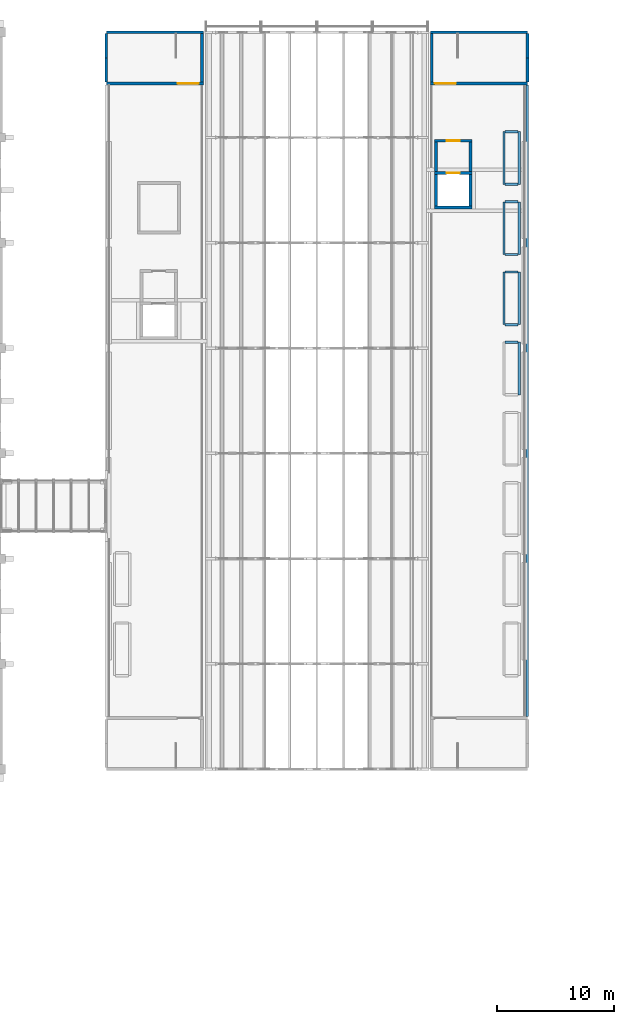
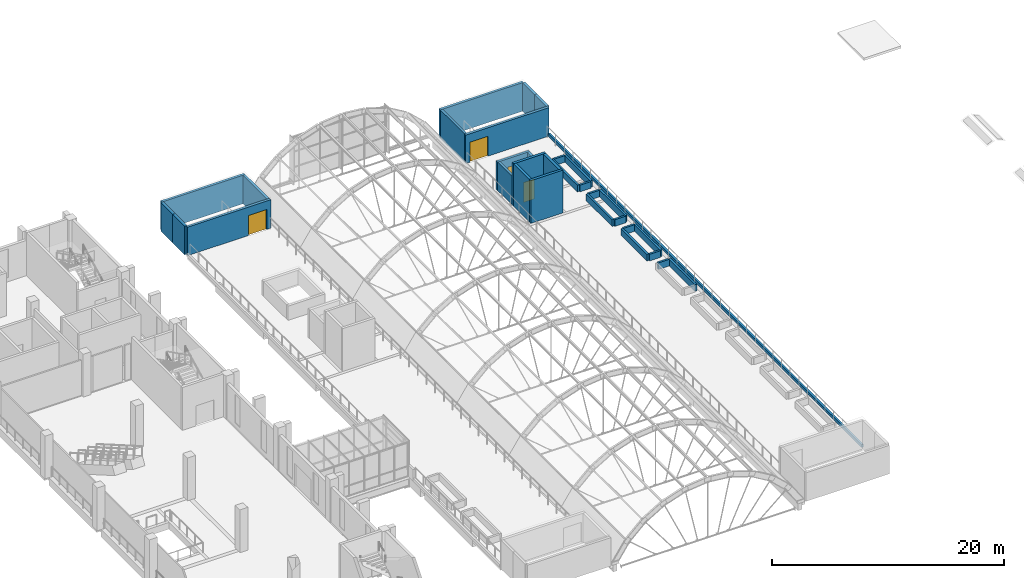
# One storey, part 57 of 79: 32 walls, 4 doors, 4 openings.
"""IFC4 building model written with IfcOpenShell, lengths in metres."""

from ifc_helpers import new_model, si_unit, direction, frame, frame_2d, origin, place, context, subcontext, project, spatial, rectangle, extrude, material, layer, layer_set, type_object, element, fill, save


model = new_model("IFC4")

# Units and contexts
model_context = context("Model", 3, precision=1e-05, world=origin(), true_north=direction((0.0, 1.0)))
body_context = subcontext(model_context, "Body", "Model", "MODEL_VIEW")
ifc_project = project(units=[si_unit("LENGTHUNIT", "METRE"), si_unit("AREAUNIT", "SQUARE_METRE"), si_unit("VOLUMEUNIT", "CUBIC_METRE"), si_unit("PLANEANGLEUNIT", "RADIAN"), si_unit("MASSUNIT", "GRAM", prefix="KILO")], contexts=[model_context])

# Site, building, storey
site_placement = place(None, origin())
site = spatial("IfcSite", under=ifc_project, at=site_placement, CompositionType="ELEMENT")
building_placement = place(site_placement, origin())
building = spatial("IfcBuilding", under=site, at=building_placement, Name="Guidao Yard Department Store", CompositionType="ELEMENT")
storey_placement = place(building_placement, frame((0.0, 0.0, 15.0)))
storey = spatial("IfcBuildingStorey", under=building, at=storey_placement, Name="L03", CompositionType="ELEMENT", Elevation=15.0)

# Walls
ifc_material_1 = material(Name="Concrete C30", Category="concrete")
ifc_layer_1 = layer(ifc_material_1, 0.199951171875)
ifc_layer_set_1 = layer_set([ifc_layer_1], Name="Planter wall 200 C30")
wall_type_1 = type_object("IfcWallType", Name="Planter wall 200 C30", PredefinedType="USERDEFINED", material=ifc_layer_set_1)
wall_1_placement = place(storey_placement, frame((107.300048828125, 77.0, 0.0), z_axis=(0.0, 0.0, 1.0), x_axis=(0.0, 1.0, 0.0)))
element("IfcWall", 1, at=wall_1_placement, inside=storey, type_object=wall_type_1, Name="Planter wall", ObjectType="PLANTER", PredefinedType="USERDEFINED", context=body_context, shape_type="SweptSolid", body=[
    extrude(rectangle(XDim=4.5, YDim=0.199951171875, at=frame_2d((2.25, 0.0))), origin(), (0.0, 0.0, 1.0), 0.699951171875),
])
wall_2_placement = place(storey_placement, frame((106.10009765625, 81.5, 0.0), z_axis=(0.0, 0.0, 1.0), x_axis=(1.0, 0.0, 0.0)))
element("IfcWall", 2, at=wall_2_placement, inside=storey, type_object=wall_type_1, Name="Planter wall", ObjectType="PLANTER", PredefinedType="USERDEFINED", context=body_context, shape_type="SweptSolid", body=[
    extrude(rectangle(XDim=1.099853515625, YDim=0.199951171875, at=frame_2d((0.5498046875, 0.0))), origin(), (0.0, 0.0, 1.0), 0.699951171875),
])
for number, where, z_axis, x_axis, name in (
    (3, (106.0, 83.0, 0.0), (0.0, 0.0, 1.0), (0.0, 1.0, 0.0), "Planter wall"),
    (4, (107.300048828125, 83.0, 0.0), (0.0, 0.0, 1.0), (0.0, 1.0, 0.0), "Planter wall"),
):
    element("IfcWall", number, at=place(storey_placement, frame(where, z_axis=z_axis, x_axis=x_axis)), inside=storey, type_object=wall_type_1, Name=name, ObjectType="PLANTER", PredefinedType="USERDEFINED", context=body_context, shape_type="SweptSolid", body=[
        extrude(rectangle(XDim=4.5, YDim=0.199951171875, at=frame_2d((2.25, 0.0))), origin(), (0.0, 0.0, 1.0), 0.699951171875),
    ])
for number, where, z_axis, x_axis, name in (
    (5, (106.10009765625, 83.0, 0.0), (0.0, 0.0, 1.0), (1.0, 0.0, 0.0), "Planter wall"),
    (6, (106.10009765625, 87.5, 0.0), (0.0, 0.0, 1.0), (1.0, 0.0, 0.0), "Planter wall"),
):
    element("IfcWall", number, at=place(storey_placement, frame(where, z_axis=z_axis, x_axis=x_axis)), inside=storey, type_object=wall_type_1, Name=name, ObjectType="PLANTER", PredefinedType="USERDEFINED", context=body_context, shape_type="SweptSolid", body=[
        extrude(rectangle(XDim=1.099853515625, YDim=0.199951171875, at=frame_2d((0.5498046875, 0.0))), origin(), (0.0, 0.0, 1.0), 0.699951171875),
    ])
for number, where, z_axis, x_axis, name in (
    (7, (106.0, 89.0, 0.0), (0.0, 0.0, 1.0), (0.0, 1.0, 0.0), "Planter wall"),
    (8, (107.300048828125, 89.0, 0.0), (0.0, 0.0, 1.0), (0.0, 1.0, 0.0), "Planter wall"),
):
    element("IfcWall", number, at=place(storey_placement, frame(where, z_axis=z_axis, x_axis=x_axis)), inside=storey, type_object=wall_type_1, Name=name, ObjectType="PLANTER", PredefinedType="USERDEFINED", context=body_context, shape_type="SweptSolid", body=[
        extrude(rectangle(XDim=4.5, YDim=0.199951171875, at=frame_2d((2.25, 0.0))), origin(), (0.0, 0.0, 1.0), 0.699951171875),
    ])
for number, where, z_axis, x_axis, name in (
    (9, (106.10009765625, 89.0, 0.0), (0.0, 0.0, 1.0), (1.0, 0.0, 0.0), "Planter wall"),
    (10, (106.10009765625, 93.5, 0.0), (0.0, 0.0, 1.0), (1.0, 0.0, 0.0), "Planter wall"),
):
    element("IfcWall", number, at=place(storey_placement, frame(where, z_axis=z_axis, x_axis=x_axis)), inside=storey, type_object=wall_type_1, Name=name, ObjectType="PLANTER", PredefinedType="USERDEFINED", context=body_context, shape_type="SweptSolid", body=[
        extrude(rectangle(XDim=1.099853515625, YDim=0.199951171875, at=frame_2d((0.5498046875, 0.0))), origin(), (0.0, 0.0, 1.0), 0.699951171875),
    ])
for number, where, z_axis, x_axis, name in (
    (11, (106.0, 95.0, 0.0), (0.0, 0.0, 1.0), (0.0, 1.0, 0.0), "Planter wall"),
    (12, (107.300048828125, 95.0, 0.0), (0.0, 0.0, 1.0), (0.0, 1.0, 0.0), "Planter wall"),
):
    element("IfcWall", number, at=place(storey_placement, frame(where, z_axis=z_axis, x_axis=x_axis)), inside=storey, type_object=wall_type_1, Name=name, ObjectType="PLANTER", PredefinedType="USERDEFINED", context=body_context, shape_type="SweptSolid", body=[
        extrude(rectangle(XDim=4.5, YDim=0.199951171875, at=frame_2d((2.25, 0.0))), origin(), (0.0, 0.0, 1.0), 0.699951171875),
    ])
for number, where, z_axis, x_axis, name in (
    (13, (106.10009765625, 95.0, 0.0), (0.0, 0.0, 1.0), (1.0, 0.0, 0.0), "Planter wall"),
    (14, (106.10009765625, 99.5, 0.0), (0.0, 0.0, 1.0), (1.0, 0.0, 0.0), "Planter wall"),
):
    element("IfcWall", number, at=place(storey_placement, frame(where, z_axis=z_axis, x_axis=x_axis)), inside=storey, type_object=wall_type_1, Name=name, ObjectType="PLANTER", PredefinedType="USERDEFINED", context=body_context, shape_type="SweptSolid", body=[
        extrude(rectangle(XDim=1.099853515625, YDim=0.199951171875, at=frame_2d((0.5498046875, 0.0))), origin(), (0.0, 0.0, 1.0), 0.699951171875),
    ])
ifc_material_2 = material(Name="Concrete C30", Category="concrete")
ifc_layer_2 = layer(ifc_material_2, 0.199951171875)
ifc_layer_set_2 = layer_set([ifc_layer_2], Name="Roof edge kerb 200 C30")
wall_type_2 = type_object("IfcWallType", Name="Roof edge kerb 200 C30", PredefinedType="PARAPET", material=ifc_layer_set_2)
wall_3_placement = place(storey_placement, frame((108.0, 49.5, 0.0), z_axis=(0.0, 0.0, 1.0), x_axis=(0.0, 1.0, 0.0)))
element("IfcWall", 15, at=wall_3_placement, inside=storey, type_object=wall_type_2, Name="Roof edge kerb", PredefinedType="PARAPET", context=body_context, shape_type="SweptSolid", body=[
    extrude(rectangle(XDim=54.0, YDim=0.199951171875, at=frame_2d((27.0, 0.0))), origin(), (0.0, 0.0, 1.0), 0.300048828125),
])

# Wall, opening, door
ifc_material_3 = material(Name="Concrete C40", Category="concrete")
ifc_layer_3 = layer(ifc_material_3, 0.25)
ifc_layer_set_3 = layer_set([ifc_layer_3], Name="Wall RC 250 C40 stair and shaft")
wall_type_3 = type_object("IfcWallType", Name="Wall RC 250 C40 stair and shaft", PredefinedType="SHEAR", material=ifc_layer_set_3)
wall_4_placement = place(storey_placement, frame((72.0, 103.625, 0.0), z_axis=(0.0, 0.0, 1.0), x_axis=(1.0, 0.0, 0.0)))
wall_4 = element("IfcWall", 16, at=wall_4_placement, inside=storey, type_object=wall_type_3, Name="Stair wall SG2", PredefinedType="SHEAR", context=body_context, shape_type="SweptSolid", body=[
    extrude(rectangle(XDim=8.300048828125, YDim=0.25, at=frame_2d((4.14990234375, 0.0))), origin(), (0.0, 0.0, 1.0), 3.0),
])
opening_1_placement = place(wall_4_placement, frame((7.900146484375, 0.0, 0.0), z_axis=(0.0, 0.0, 1.0), x_axis=(-1.0, 0.0, 0.0)))
opening_1 = element("IfcOpeningElement", 17, at=opening_1_placement, cuts=wall_4, Name="Opening L03-809", PredefinedType="OPENING", context=body_context, shape_type="SweptSolid", body=[
    extrude(rectangle(XDim=1.800048828125, YDim=2.10009765625, at=frame_2d((0.89990234375, 1.050048828125))), frame((0.0, 0.135009765625, 0.0), z_axis=(0.0, -1.0, 0.0), x_axis=(1.0, 0.0, 0.0)), (0.0, 0.0, 1.0), 0.27001953125),
])
ifc_material_4 = material(Name="Steel Q235", Category="steel")
door_type_1 = type_object("IfcDoorType", Name="Door fire-resisting 1800 x 2100 FD60", OperationType="DOUBLE_DOOR_SINGLE_SWING", PredefinedType="DOOR", material=ifc_material_4)
door_1_placement = place(opening_1_placement, origin())
door_1 = element("IfcDoor", 18, at=door_1_placement, inside=storey, type_object=door_type_1, Name="Stair G2 door L03", OperationType="DOUBLE_DOOR_SINGLE_SWING", OverallHeight=2.10009765625, OverallWidth=1.800048828125, PredefinedType="DOOR", context=body_context, shape_type="SweptSolid", body=[
    extrude(rectangle(XDim=1.800048828125, YDim=2.10009765625, at=frame_2d((0.89990234375, 1.050048828125))), frame((0.0, 0.02490234375, 0.0), z_axis=(0.0, -1.0, 0.0), x_axis=(1.0, 0.0, 0.0)), (0.0, 0.0, 1.0), 0.050048828125),
])
fill(opening_1, door_1)

# Walls
wall_5_placement = place(storey_placement, frame((72.0, 108.0, 0.0), z_axis=(0.0, 0.0, 1.0), x_axis=(1.0, 0.0, 0.0)))
element("IfcWall", 19, at=wall_5_placement, inside=storey, type_object=wall_type_3, Name="Stair wall SG2", PredefinedType="SHEAR", context=body_context, shape_type="SweptSolid", body=[
    extrude(rectangle(XDim=8.300048828125, YDim=0.25, at=frame_2d((4.14990234375, 0.0))), origin(), (0.0, 0.0, 1.0), 3.0),
])
wall_6_placement = place(storey_placement, frame((72.0, 103.75, 0.0), z_axis=(0.0, 0.0, 1.0), x_axis=(0.0, 1.0, 0.0)))
element("IfcWall", 20, at=wall_6_placement, inside=storey, type_object=wall_type_3, Name="Stair wall SG2", PredefinedType="SHEAR", context=body_context, shape_type="SweptSolid", body=[
    extrude(rectangle(XDim=2.06201171875, YDim=0.25, at=frame_2d((1.031005859375, 0.0))), origin(), (0.0, 0.0, 1.0), 3.0),
])
wall_7_placement = place(storey_placement, frame((72.0, 105.81201171875, 0.0), z_axis=(0.0, 0.0, 1.0), x_axis=(0.0, 1.0, 0.0)))
element("IfcWall", 21, at=wall_7_placement, inside=storey, type_object=wall_type_3, Name="Stair wall SG2", PredefinedType="SHEAR", context=body_context, shape_type="SweptSolid", body=[
    extrude(rectangle(XDim=2.06298828125, YDim=0.25, at=frame_2d((1.031494140625, 0.0))), origin(), (0.0, 0.0, 1.0), 3.0),
])
wall_8_placement = place(storey_placement, frame((80.175048828125, 103.75, 0.0), z_axis=(0.0, 0.0, 1.0), x_axis=(0.0, 1.0, 0.0)))
element("IfcWall", 22, at=wall_8_placement, inside=storey, type_object=wall_type_3, Name="Stair wall SG2", PredefinedType="SHEAR", context=body_context, shape_type="SweptSolid", body=[
    extrude(rectangle(XDim=4.125, YDim=0.25, at=frame_2d((2.0625, 0.0))), origin(), (0.0, 0.0, 1.0), 3.0),
])

# Wall, opening, door
wall_9_placement = place(storey_placement, frame((99.699951171875, 103.625, 0.0), z_axis=(0.0, 0.0, 1.0), x_axis=(1.0, 0.0, 0.0)))
wall_9 = element("IfcWall", 23, at=wall_9_placement, inside=storey, type_object=wall_type_3, Name="Stair wall SG4", PredefinedType="SHEAR", context=body_context, shape_type="SweptSolid", body=[
    extrude(rectangle(XDim=8.300048828125, YDim=0.25, at=frame_2d((4.14990234375, 0.0))), origin(), (0.0, 0.0, 1.0), 3.0),
])
opening_2_placement = place(wall_9_placement, frame((2.199951171875, 0.0, 0.0), z_axis=(0.0, 0.0, 1.0), x_axis=(-1.0, 0.0, 0.0)))
opening_2 = element("IfcOpeningElement", 24, at=opening_2_placement, cuts=wall_9, Name="Opening L03-811", PredefinedType="OPENING", context=body_context, shape_type="SweptSolid", body=[
    extrude(rectangle(XDim=1.800048828125, YDim=2.10009765625, at=frame_2d((0.89990234375, 1.050048828125))), frame((0.0, 0.135009765625, 0.0), z_axis=(0.0, -1.0, 0.0), x_axis=(1.0, 0.0, 0.0)), (0.0, 0.0, 1.0), 0.27001953125),
])
door_2_placement = place(opening_2_placement, origin())
door_2 = element("IfcDoor", 25, at=door_2_placement, inside=storey, type_object=door_type_1, Name="Stair G4 door L03", OperationType="DOUBLE_DOOR_SINGLE_SWING", OverallHeight=2.10009765625, OverallWidth=1.800048828125, PredefinedType="DOOR", context=body_context, shape_type="SweptSolid", body=[
    extrude(rectangle(XDim=1.800048828125, YDim=2.10009765625, at=frame_2d((0.89990234375, 1.050048828125))), frame((0.0, 0.02490234375, 0.0), z_axis=(0.0, -1.0, 0.0), x_axis=(1.0, 0.0, 0.0)), (0.0, 0.0, 1.0), 0.050048828125),
])
fill(opening_2, door_2)

# Walls
wall_10_placement = place(storey_placement, frame((99.699951171875, 108.0, 0.0), z_axis=(0.0, 0.0, 1.0), x_axis=(1.0, 0.0, 0.0)))
element("IfcWall", 26, at=wall_10_placement, inside=storey, type_object=wall_type_3, Name="Stair wall SG4", PredefinedType="SHEAR", context=body_context, shape_type="SweptSolid", body=[
    extrude(rectangle(XDim=8.300048828125, YDim=0.25, at=frame_2d((4.14990234375, 0.0))), origin(), (0.0, 0.0, 1.0), 3.0),
])
wall_11_placement = place(storey_placement, frame((99.824951171875, 103.75, 0.0), z_axis=(0.0, 0.0, 1.0), x_axis=(0.0, 1.0, 0.0)))
element("IfcWall", 27, at=wall_11_placement, inside=storey, type_object=wall_type_3, Name="Stair wall SG4", PredefinedType="SHEAR", context=body_context, shape_type="SweptSolid", body=[
    extrude(rectangle(XDim=4.125, YDim=0.25, at=frame_2d((2.0625, 0.0))), origin(), (0.0, 0.0, 1.0), 3.0),
])
wall_12_placement = place(storey_placement, frame((108.0, 103.75, 0.0), z_axis=(0.0, 0.0, 1.0), x_axis=(0.0, 1.0, 0.0)))
element("IfcWall", 28, at=wall_12_placement, inside=storey, type_object=wall_type_3, Name="Stair wall SG4", PredefinedType="SHEAR", context=body_context, shape_type="SweptSolid", body=[
    extrude(rectangle(XDim=2.06201171875, YDim=0.25, at=frame_2d((1.031005859375, 0.0))), origin(), (0.0, 0.0, 1.0), 3.0),
])
wall_13_placement = place(storey_placement, frame((108.0, 105.81201171875, 0.0), z_axis=(0.0, 0.0, 1.0), x_axis=(0.0, 1.0, 0.0)))
element("IfcWall", 29, at=wall_13_placement, inside=storey, type_object=wall_type_3, Name="Stair wall SG4", PredefinedType="SHEAR", context=body_context, shape_type="SweptSolid", body=[
    extrude(rectangle(XDim=2.06298828125, YDim=0.25, at=frame_2d((1.031494140625, 0.0))), origin(), (0.0, 0.0, 1.0), 3.0),
])

# Wall, opening, door
wall_14_placement = place(storey_placement, frame((100.050048828125, 95.97509765625, 0.0), z_axis=(0.0, 0.0, 1.0), x_axis=(1.0, 0.0, 0.0)))
wall_14 = element("IfcWall", 30, at=wall_14_placement, inside=storey, type_object=wall_type_3, Name="Lift shaft wall GL2", PredefinedType="SHEAR", context=body_context, shape_type="SweptSolid", body=[
    extrude(rectangle(XDim=3.199951171875, YDim=0.25, at=frame_2d((1.60009765625, 0.0))), origin(), (0.0, 0.0, 1.0), 4.5),
])
opening_3_placement = place(wall_14_placement, frame((1.050048828125, 0.0, 0.0)))
opening_3 = element("IfcOpeningElement", 31, at=opening_3_placement, cuts=wall_14, Name="Opening LD-GL2-L03", PredefinedType="OPENING", context=body_context, shape_type="SweptSolid", body=[
    extrude(rectangle(XDim=1.10009765625, YDim=2.10009765625, at=frame_2d((0.550048828125, 1.050048828125))), frame((0.0, 0.135009765625, 0.0), z_axis=(0.0, -1.0, 0.0), x_axis=(1.0, 0.0, 0.0)), (0.0, 0.0, 1.0), 0.27001953125),
])
ifc_material_5 = material(Name="Stainless steel 06Cr19Ni10", Category="steel")
door_type_2 = type_object("IfcDoorType", Name="Lift landing door fire-resisting sliding 1100 x 2100", OperationType="DOUBLE_DOOR_SLIDING", PredefinedType="DOOR", material=ifc_material_5)
door_3_placement = place(opening_3_placement, origin())
door_3 = element("IfcDoor", 32, at=door_3_placement, inside=storey, type_object=door_type_2, Name="Lift landing door GL2 L03", OperationType="DOUBLE_DOOR_SLIDING", OverallHeight=2.10009765625, OverallWidth=1.10009765625, PredefinedType="DOOR", context=body_context, shape_type="SweptSolid", body=[
    extrude(rectangle(XDim=1.10009765625, YDim=2.10009765625, at=frame_2d((0.550048828125, 1.050048828125))), frame((0.0, 0.02490234375, 0.0), z_axis=(0.0, -1.0, 0.0), x_axis=(1.0, 0.0, 0.0)), (0.0, 0.0, 1.0), 0.050048828125),
])
fill(opening_3, door_3)

# Walls
wall_15_placement = place(storey_placement, frame((100.050048828125, 93.02490234375, 0.0), z_axis=(0.0, 0.0, 1.0), x_axis=(1.0, 0.0, 0.0)))
element("IfcWall", 33, at=wall_15_placement, inside=storey, type_object=wall_type_3, Name="Lift shaft wall GL2", PredefinedType="SHEAR", context=body_context, shape_type="SweptSolid", body=[
    extrude(rectangle(XDim=3.199951171875, YDim=0.25, at=frame_2d((1.60009765625, 0.0))), origin(), (0.0, 0.0, 1.0), 4.5),
])
for number, where, z_axis, x_axis, name in (
    (34, (100.175048828125, 93.14990234375, 0.0), (0.0, 0.0, 1.0), (0.0, 1.0, 0.0), "Lift shaft wall GL2"),
    (35, (103.125, 93.14990234375, 0.0), (0.0, 0.0, 1.0), (0.0, 1.0, 0.0), "Lift shaft wall GL2"),
):
    element("IfcWall", number, at=place(storey_placement, frame(where, z_axis=z_axis, x_axis=x_axis)), inside=storey, type_object=wall_type_3, Name=name, PredefinedType="SHEAR", context=body_context, shape_type="SweptSolid", body=[
        extrude(rectangle(XDim=2.7001953125, YDim=0.25, at=frame_2d((1.35009765625, 0.0))), origin(), (0.0, 0.0, 1.0), 4.5),
    ])

# Wall, opening, door
wall_16_placement = place(storey_placement, frame((100.050048828125, 98.72509765625, 0.0), z_axis=(0.0, 0.0, 1.0), x_axis=(1.0, 0.0, 0.0)))
wall_16 = element("IfcWall", 36, at=wall_16_placement, inside=storey, type_object=wall_type_3, Name="Roof lift lobby wall GL2", PredefinedType="SHEAR", context=body_context, shape_type="SweptSolid", body=[
    extrude(rectangle(XDim=3.199951171875, YDim=0.25, at=frame_2d((1.60009765625, 0.0))), origin(), (0.0, 0.0, 1.0), 3.0),
])
opening_4_placement = place(wall_16_placement, frame((1.050048828125, 0.0, 0.0)))
opening_4 = element("IfcOpeningElement", 37, at=opening_4_placement, cuts=wall_16, Name="Opening L03-816", PredefinedType="OPENING", context=body_context, shape_type="SweptSolid", body=[
    extrude(rectangle(XDim=1.10009765625, YDim=2.10009765625, at=frame_2d((0.550048828125, 1.050048828125))), frame((0.0, 0.135009765625, 0.0), z_axis=(0.0, -1.0, 0.0), x_axis=(1.0, 0.0, 0.0)), (0.0, 0.0, 1.0), 0.27001953125),
])
ifc_material_6 = material(Name="Steel Q235", Category="steel")
door_type_3 = type_object("IfcDoorType", Name="Door fire-resisting 1100 x 2100 FD60", OperationType="SINGLE_SWING_LEFT", PredefinedType="DOOR", material=ifc_material_6)
door_4_placement = place(opening_4_placement, origin())
door_4 = element("IfcDoor", 38, at=door_4_placement, inside=storey, type_object=door_type_3, Name="Roof lift lobby door GL2", OperationType="SINGLE_SWING_LEFT", OverallHeight=2.10009765625, OverallWidth=1.10009765625, PredefinedType="DOOR", context=body_context, shape_type="SweptSolid", body=[
    extrude(rectangle(XDim=1.10009765625, YDim=2.10009765625, at=frame_2d((0.550048828125, 1.050048828125))), frame((0.0, 0.02490234375, 0.0), z_axis=(0.0, -1.0, 0.0), x_axis=(1.0, 0.0, 0.0)), (0.0, 0.0, 1.0), 0.050048828125),
])
fill(opening_4, door_4)

# Walls
for number, where, z_axis, x_axis, name in (
    (39, (100.175048828125, 96.10009765625, 0.0), (0.0, 0.0, 1.0), (0.0, 1.0, 0.0), "Roof lift lobby wall GL2"),
    (40, (103.125, 96.10009765625, 0.0), (0.0, 0.0, 1.0), (0.0, 1.0, 0.0), "Roof lift lobby wall GL2"),
):
    element("IfcWall", number, at=place(storey_placement, frame(where, z_axis=z_axis, x_axis=x_axis)), inside=storey, type_object=wall_type_3, Name=name, PredefinedType="SHEAR", context=body_context, shape_type="SweptSolid", body=[
        extrude(rectangle(XDim=2.5, YDim=0.25, at=frame_2d((1.25, 0.0))), origin(), (0.0, 0.0, 1.0), 3.0),
    ])

save(model, "model.ifc")
